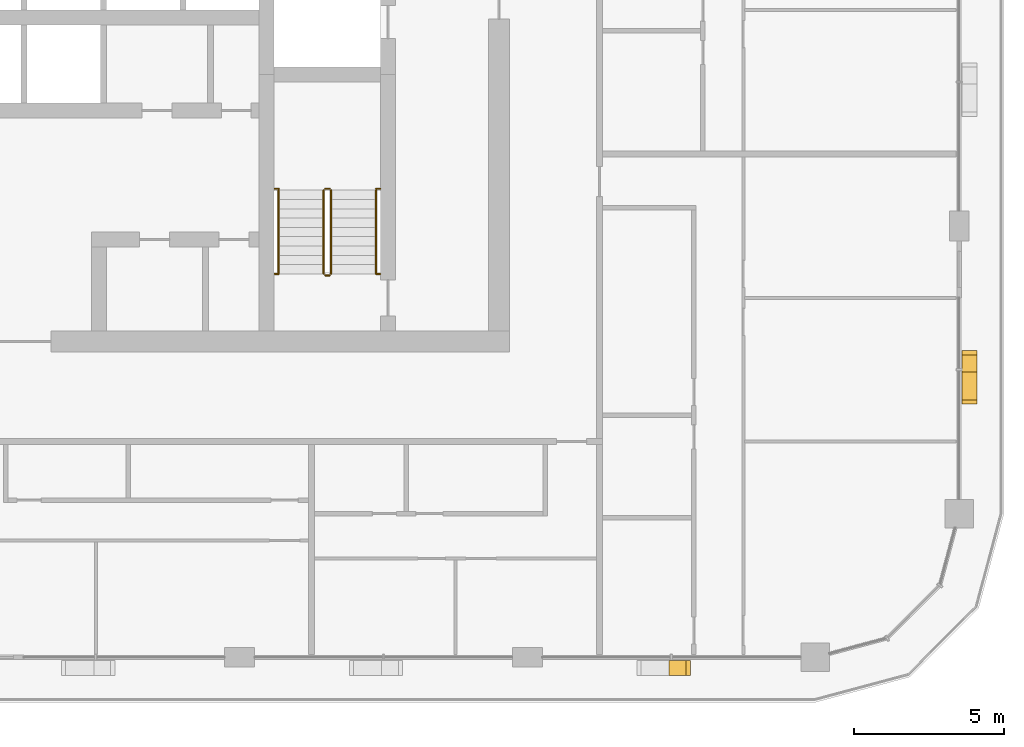
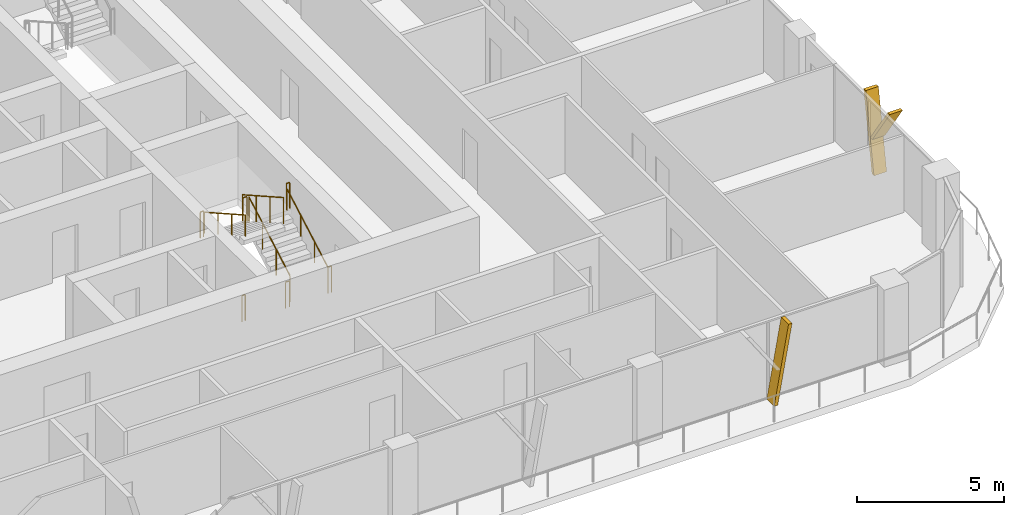
# One storey, part 20 of 23: 10 railings, 3 shading devices.
"""IFC4 building model written with IfcOpenShell, lengths in metres."""

from ifc_helpers import new_model, si_unit, direction, frame, origin, origin_2d, place, context, subcontext, project, spatial, polyline, circle, outline, extrude, material, type_object, element, save


model = new_model("IFC4")

# Units and contexts
model_context = context("Model", 3, precision=1e-05, world=origin(), true_north=direction((0.0, 1.0)))
body_context = subcontext(model_context, "Body", "Model", "MODEL_VIEW")
ifc_project = project(units=[si_unit("LENGTHUNIT", "METRE"), si_unit("AREAUNIT", "SQUARE_METRE"), si_unit("VOLUMEUNIT", "CUBIC_METRE"), si_unit("PLANEANGLEUNIT", "RADIAN"), si_unit("MASSUNIT", "GRAM", prefix="KILO")], contexts=[model_context])

# Site, building, storey
site_placement = place(None, origin())
site = spatial("IfcSite", under=ifc_project, at=site_placement, CompositionType="ELEMENT")
building_placement = place(site_placement, origin())
building = spatial("IfcBuilding", under=site, at=building_placement, Name="Madar Terraces", CompositionType="ELEMENT")
storey_placement = place(building_placement, frame((0.0, 0.0, 215.800048828125)))
storey = spatial("IfcBuildingStorey", under=building, at=storey_placement, Name="L56", CompositionType="ELEMENT", Elevation=215.800048828125)

# Shading devices
ifc_material_1 = material(Name="Aluminium, black anodised", Category="aluminium")
shading_device_type = type_object("IfcShadingDeviceType", Name="Facade fin blade 140 x 500", PredefinedType="USERDEFINED", material=ifc_material_1)
shading_device_1_placement = place(storey_placement, frame((52.72998046875, 4.449951171875, 0.0), z_axis=(0.0, 0.0, 1.0), x_axis=(1.0, 0.0, 0.0)))
element("IfcShadingDevice", 1, at=shading_device_1_placement, inside=storey, type_object=shading_device_type, Name="FIN L56 S5", ObjectType="FIN", PredefinedType="USERDEFINED", context=body_context, shape_type="SweptSolid", body=[
    extrude(outline(polyline([(0.0, 0.0), (0.14013671875, 0.0), (0.704345703125, 3.199951171875), (0.564208984375, 3.199951171875), (0.0, 0.0)])), frame((0.0, 0.25, 0.0), z_axis=(0.0, -1.0, 0.0), x_axis=(1.0, 0.0, 0.0)), (0.0, 0.0, 1.0), 0.5),
])
shading_device_2_placement = place(storey_placement, frame((62.75, 14.330078125, 0.0), z_axis=(0.0, 0.0, 1.0), x_axis=(0.0, 1.0, 0.0)))
element("IfcShadingDevice", 2, at=shading_device_2_placement, inside=storey, type_object=shading_device_type, Name="FIN L56 E1", ObjectType="FIN", PredefinedType="USERDEFINED", context=body_context, shape_type="SweptSolid", body=[
    extrude(outline(polyline([(0.0, 0.0), (0.139892578125, 0.0), (0.704345703125, 3.199951171875), (0.564208984375, 3.199951171875), (0.0, 0.0)])), frame((0.0, 0.25, 0.0), z_axis=(0.0, -1.0, 0.0), x_axis=(1.0, 0.0, 0.0)), (0.0, 0.0, 1.0), 0.5),
])
shading_device_3_placement = place(storey_placement, frame((62.75, 14.44384765625, 1.43994140625), z_axis=(0.0, 0.0, 1.0), x_axis=(0.0, 1.0, 0.0)))
element("IfcShadingDevice", 3, at=shading_device_3_placement, inside=storey, type_object=shading_device_type, Name="FIN L56 E1 branch", ObjectType="FIN", PredefinedType="USERDEFINED", context=body_context, shape_type="SweptSolid", body=[
    extrude(outline(polyline([(0.0, 0.0), (0.14013671875, 0.0), (-1.049560546875, 1.760009765625), (-1.189697265625, 1.760009765625), (0.0, 0.0)])), frame((0.0, 0.25, 0.0), z_axis=(0.0, -1.0, 0.0), x_axis=(1.0, 0.0, 0.0)), (0.0, 0.0, 1.0), 0.5),
])

# Railings
ifc_material_2 = material(Name="Stainless steel railing", Category="steel")
railing_type_1 = type_object("IfcRailingType", Name="Stair guard 1100", PredefinedType="GUARDRAIL", material=ifc_material_2)
railing_1_placement = place(storey_placement, frame((41.449951171875, 17.60009765625, 0.175048828125)))
element("IfcRailing", 4, at=railing_1_placement, inside=storey, type_object=railing_type_1, Name="L56 ST3 stair guard 1", PredefinedType="GUARDRAIL", context=body_context, shape_type="SweptSolid", body=[
    extrude(circle(Radius=0.02392578125, at=origin_2d()), frame((0.0, 0.0, 1.076171875), z_axis=(0.0, 0.870815363784, 0.491610213684), x_axis=(-1.0, 0.0, 0.0)), (0.0, 0.0, 1.0), 3.20361328125),
    extrude(circle(Radius=0.02099609375, at=origin_2d()), origin(), (0.0, 0.0, 1.0), 1.052001953125),
    extrude(circle(Radius=0.02099609375, at=origin_2d()), frame((0.0, 0.929931640625, 0.52490234375)), (0.0, 0.0, 1.0), 1.052001953125),
    extrude(circle(Radius=0.02099609375, at=origin_2d()), frame((0.0, 1.85986328125, 1.050048828125)), (0.0, 0.0, 1.0), 1.052001953125),
    extrude(circle(Radius=0.02099609375, at=origin_2d()), frame((0.0, 2.789794921875, 1.574951171875)), (0.0, 0.0, 1.0), 1.052001953125),
])
railing_2_placement = place(storey_placement, frame((41.39990234375, 20.43994140625, 1.75)))
element("IfcRailing", 5, at=railing_2_placement, inside=storey, type_object=railing_type_1, Name="L56 ST3 stair guard 2", PredefinedType="GUARDRAIL", context=body_context, shape_type="SweptSolid", body=[
    extrude(circle(Radius=0.02392578125, at=origin_2d()), frame((0.0, 0.0, 1.076171875), z_axis=(-1.0, 0.0, 0.0), x_axis=(0.0, -1.0, 0.0)), (0.0, 0.0, 1.0), 0.14990234375),
    extrude(circle(Radius=0.02099609375, at=origin_2d()), origin(), (0.0, 0.0, 1.0), 1.052001953125),
    extrude(circle(Radius=0.02099609375, at=origin_2d()), frame((-0.14990234375, 0.0, 0.0)), (0.0, 0.0, 1.0), 1.052001953125),
])
railing_3_placement = place(storey_placement, frame((41.199951171875, 20.389892578125, 1.925048828125)))
element("IfcRailing", 6, at=railing_3_placement, inside=storey, type_object=railing_type_1, Name="L56 ST3 stair guard 3", PredefinedType="GUARDRAIL", context=body_context, shape_type="SweptSolid", body=[
    extrude(circle(Radius=0.02392578125, at=origin_2d()), frame((0.0, 0.0, 1.076171875), z_axis=(0.0, -0.870815363784, 0.491610213684), x_axis=(1.0, 0.0, 0.0)), (0.0, 0.0, 1.0), 3.20361328125),
    extrude(circle(Radius=0.02099609375, at=origin_2d()), origin(), (0.0, 0.0, 1.0), 1.052001953125),
    extrude(circle(Radius=0.02099609375, at=origin_2d()), frame((0.0, -0.929931640625, 0.52490234375)), (0.0, 0.0, 1.0), 1.052001953125),
    extrude(circle(Radius=0.02099609375, at=origin_2d()), frame((0.0, -1.85986328125, 1.050048828125)), (0.0, 0.0, 1.0), 1.052001953125),
    extrude(circle(Radius=0.02099609375, at=origin_2d()), frame((0.0, -2.789794921875, 1.574951171875)), (0.0, 0.0, 1.0), 1.052001953125),
])
railing_4_placement = place(storey_placement, frame((41.39990234375, 17.550048828125, 0.0)))
element("IfcRailing", 7, at=railing_4_placement, inside=storey, type_object=railing_type_1, Name="L56 ST3 stair guard 4", PredefinedType="GUARDRAIL", context=body_context, shape_type="SweptSolid", body=[
    extrude(circle(Radius=0.02392578125, at=origin_2d()), frame((0.0, 0.0, 1.076171875), z_axis=(-1.0, 0.0, 0.0), x_axis=(0.0, -1.0, 0.0)), (0.0, 0.0, 1.0), 0.14990234375),
    extrude(circle(Radius=0.02099609375, at=origin_2d()), origin(), (0.0, 0.0, 1.0), 1.052001953125),
    extrude(circle(Radius=0.02099609375, at=origin_2d()), frame((-0.14990234375, 0.0, 0.0)), (0.0, 0.0, 1.0), 1.052001953125),
])
railing_5_placement = place(storey_placement, frame((39.570068359375, 20.43994140625, 1.75)))
element("IfcRailing", 8, at=railing_5_placement, inside=storey, type_object=railing_type_1, Name="L56 stair guard seat 1", PredefinedType="GUARDRAIL", context=body_context, shape_type="SweptSolid", body=[
    extrude(circle(Radius=0.02392578125, at=origin_2d()), frame((0.0, 0.0, 1.076171875), z_axis=(1.0, 0.0, 0.0), x_axis=(0.0, 1.0, 0.0)), (0.0, 0.0, 1.0), 0.1298828125),
    extrude(circle(Radius=0.02099609375, at=origin_2d()), origin(), (0.0, 0.0, 1.0), 1.052001953125),
    extrude(circle(Radius=0.02099609375, at=origin_2d()), frame((0.1298828125, 0.0, 0.0)), (0.0, 0.0, 1.0), 1.052001953125),
])
railing_6_placement = place(storey_placement, frame((42.949951171875, 20.43994140625, 1.75)))
element("IfcRailing", 9, at=railing_6_placement, inside=storey, type_object=railing_type_1, Name="L56 stair guard seat 2", PredefinedType="GUARDRAIL", context=body_context, shape_type="SweptSolid", body=[
    extrude(circle(Radius=0.02392578125, at=origin_2d()), frame((0.0, 0.0, 1.076171875), z_axis=(1.0, 0.0, 0.0), x_axis=(0.0, 1.0, 0.0)), (0.0, 0.0, 1.0), 0.130126953125),
    extrude(circle(Radius=0.02099609375, at=origin_2d()), origin(), (0.0, 0.0, 1.0), 1.052001953125),
    extrude(circle(Radius=0.02099609375, at=origin_2d()), frame((0.130126953125, 0.0, 0.0)), (0.0, 0.0, 1.0), 1.052001953125),
])
railing_7_placement = place(storey_placement, frame((39.570068359375, 17.60009765625, 0.0)))
element("IfcRailing", 10, at=railing_7_placement, inside=storey, type_object=railing_type_1, Name="L56 stair guard floor 1", PredefinedType="GUARDRAIL", context=body_context, shape_type="SweptSolid", body=[
    extrude(circle(Radius=0.02392578125, at=origin_2d()), frame((0.0, 0.0, 1.076171875), z_axis=(1.0, 0.0, 0.0), x_axis=(0.0, 1.0, 0.0)), (0.0, 0.0, 1.0), 0.1298828125),
    extrude(circle(Radius=0.02099609375, at=origin_2d()), origin(), (0.0, 0.0, 1.0), 1.052001953125),
    extrude(circle(Radius=0.02099609375, at=origin_2d()), frame((0.1298828125, 0.0, 0.0)), (0.0, 0.0, 1.0), 1.052001953125),
])
railing_8_placement = place(storey_placement, frame((42.949951171875, 17.60009765625, 0.0)))
element("IfcRailing", 11, at=railing_8_placement, inside=storey, type_object=railing_type_1, Name="L56 stair guard floor 2", PredefinedType="GUARDRAIL", context=body_context, shape_type="SweptSolid", body=[
    extrude(circle(Radius=0.02392578125, at=origin_2d()), frame((0.0, 0.0, 1.076171875), z_axis=(1.0, 0.0, 0.0), x_axis=(0.0, 1.0, 0.0)), (0.0, 0.0, 1.0), 0.130126953125),
    extrude(circle(Radius=0.02099609375, at=origin_2d()), origin(), (0.0, 0.0, 1.0), 1.052001953125),
    extrude(circle(Radius=0.02099609375, at=origin_2d()), frame((0.130126953125, 0.0, 0.0)), (0.0, 0.0, 1.0), 1.052001953125),
])
ifc_material_3 = material(Name="Stainless steel railing", Category="steel")
railing_type_2 = type_object("IfcRailingType", Name="Stair handrail 900", PredefinedType="HANDRAIL", material=ifc_material_3)
railing_9_placement = place(storey_placement, frame((42.949951171875, 17.60009765625, 0.175048828125)))
element("IfcRailing", 12, at=railing_9_placement, inside=storey, type_object=railing_type_2, Name="L56 ST3 stair handrail 1", PredefinedType="HANDRAIL", context=body_context, shape_type="SweptSolid", body=[
    extrude(circle(Radius=0.02392578125, at=origin_2d()), frame((0.0, 0.0, 0.8759765625), z_axis=(0.0, 0.870815363784, 0.491610213684), x_axis=(-1.0, 0.0, 0.0)), (0.0, 0.0, 1.0), 3.20361328125),
    extrude(circle(Radius=0.02099609375, at=origin_2d()), origin(), (0.0, 0.0, 1.0), 0.851806640625),
    extrude(circle(Radius=0.02099609375, at=origin_2d()), frame((0.0, 0.929931640625, 0.52490234375)), (0.0, 0.0, 1.0), 0.851806640625),
    extrude(circle(Radius=0.02099609375, at=origin_2d()), frame((0.0, 1.85986328125, 1.050048828125)), (0.0, 0.0, 1.0), 0.851806640625),
    extrude(circle(Radius=0.02099609375, at=origin_2d()), frame((0.0, 2.789794921875, 1.574951171875)), (0.0, 0.0, 1.0), 0.851806640625),
])
railing_10_placement = place(storey_placement, frame((39.699951171875, 20.389892578125, 1.925048828125)))
element("IfcRailing", 13, at=railing_10_placement, inside=storey, type_object=railing_type_2, Name="L56 ST3 stair handrail 2", PredefinedType="HANDRAIL", context=body_context, shape_type="SweptSolid", body=[
    extrude(circle(Radius=0.02392578125, at=origin_2d()), frame((0.0, 0.0, 0.8759765625), z_axis=(0.0, -0.870815363784, 0.491610213684), x_axis=(1.0, 0.0, 0.0)), (0.0, 0.0, 1.0), 3.20361328125),
    extrude(circle(Radius=0.02099609375, at=origin_2d()), origin(), (0.0, 0.0, 1.0), 0.851806640625),
    extrude(circle(Radius=0.02099609375, at=origin_2d()), frame((0.0, -0.929931640625, 0.52490234375)), (0.0, 0.0, 1.0), 0.851806640625),
    extrude(circle(Radius=0.02099609375, at=origin_2d()), frame((0.0, -1.85986328125, 1.050048828125)), (0.0, 0.0, 1.0), 0.851806640625),
    extrude(circle(Radius=0.02099609375, at=origin_2d()), frame((0.0, -2.789794921875, 1.574951171875)), (0.0, 0.0, 1.0), 0.851806640625),
])

save(model, "model.ifc")
